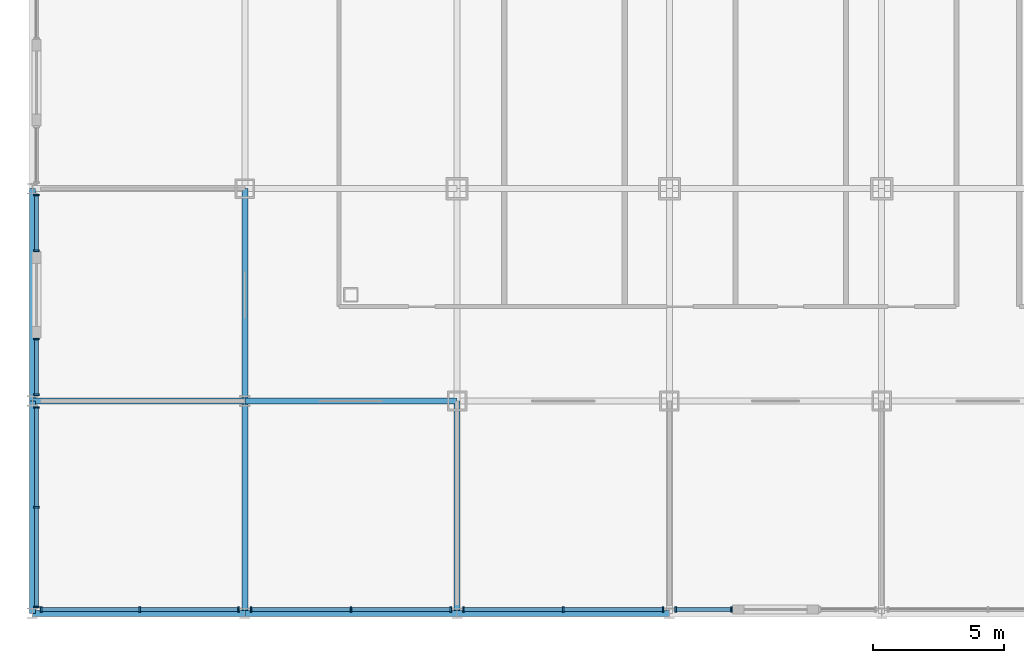
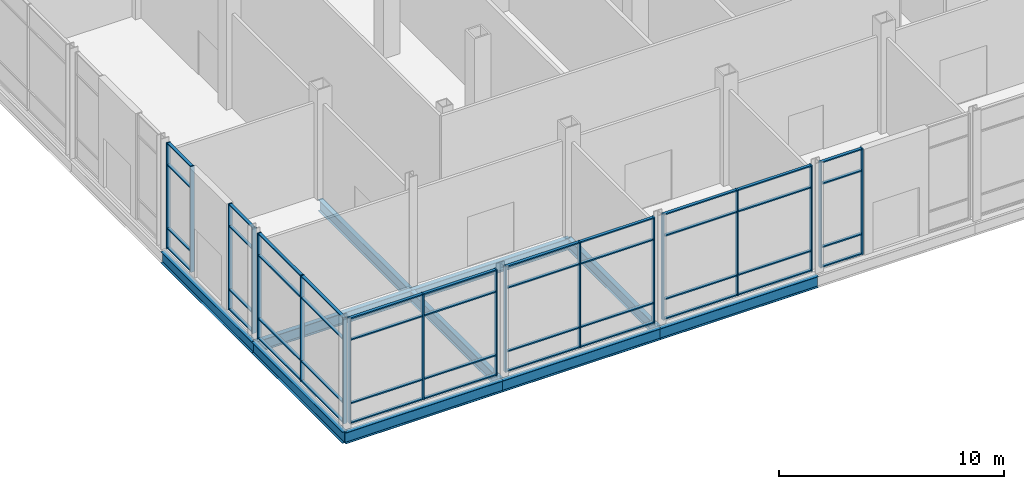
# One storey, part 9 of 35: 62 members, 10 beams, 7 elements without a shape of their own.
"""IFC4 building model written with IfcOpenShell, lengths in metres."""

import ifcopenshell
import ifcopenshell.guid

model = None  # the IFC model being written
_history = None  # IfcOwnerHistory: only IFC2X3 demands one
_inside = {}  # id of a spatial element -> (the spatial element, [elements in it])
_under = {}  # id of a project, library or spatial element -> (it, [spatial elements below it])
_declared = {}  # id of a project -> (the project, [libraries it declares])
_typed = {}  # id of a type object -> (the type object, [elements of that type])
_made_of = {}  # id of a material, layer set ... -> (it, [elements and type objects made of it])


def new_model(schema):
    """Start an empty IFC model of exactly this schema.

    Asked for "IFC4X3", IfcOpenShell would pick the latest addendum, in which some entities
    have other attributes; the version numbers below select the first issue.
    IFC2X3 requires an IfcOwnerHistory on every rooted entity: one is made here for all.
    """
    global model, _history
    if schema == "IFC4X3":
        model = ifcopenshell.file(schema_version=(4, 3, 0, 0))
    else:
        model = ifcopenshell.file(schema=schema)
    _inside.clear()
    _under.clear()
    _declared.clear()
    _typed.clear()
    _made_of.clear()
    _history = None
    if model.schema == "IFC2X3":
        org = make("IfcOrganization", Name="unknown")
        user = make(
            "IfcPersonAndOrganization",
            ThePerson=make("IfcPerson", FamilyName="unknown"),
            TheOrganization=org,
        )
        app = make(
            "IfcApplication",
            ApplicationDeveloper=org,
            Version="unknown",
            ApplicationFullName="unknown",
            ApplicationIdentifier="unknown",
        )
        _history = make(
            "IfcOwnerHistory",
            OwningUser=user,
            OwningApplication=app,
            ChangeAction="ADDED",
            CreationDate=0,
        )
    return model


def make(cls, **values):
    """One entity of the class cls with the attributes given. An attribute that is None is left unset."""
    return model.create_entity(
        cls, **{name: value for name, value in values.items() if value is not None}
    )


def rooted(cls, **values):
    """An entity with a GlobalId (a new one), such as an element, a storey or a relation."""
    return make(cls, GlobalId=ifcopenshell.guid.new(), OwnerHistory=_history, **values)


def si_unit(unit_type, name, prefix=None):
    """IfcSIUnit, for example si_unit("LENGTHUNIT", "METRE", prefix="MILLI")."""
    return make("IfcSIUnit", UnitType=unit_type, Prefix=prefix, Name=name)


def assignment(units):
    """IfcUnitAssignment: the units of a project."""
    return None if units is None else make("IfcUnitAssignment", Units=units)


def point(xyz):
    """IfcCartesianPoint."""
    return None if xyz is None else make("IfcCartesianPoint", Coordinates=xyz)


def direction(xyz):
    """IfcDirection."""
    return None if xyz is None else make("IfcDirection", DirectionRatios=xyz)


def frame(location, z_axis=None, x_axis=None):
    """IfcAxis2Placement3D, a coordinate frame: its origin and axes. An axis left out is left unset."""
    return make(
        "IfcAxis2Placement3D",
        Location=point(location),
        Axis=direction(z_axis),
        RefDirection=direction(x_axis),
    )


def frame_2d(location, x_axis=None):
    """IfcAxis2Placement2D, a coordinate frame in the plane: its origin and x axis."""
    return make(
        "IfcAxis2Placement2D", Location=point(location), RefDirection=direction(x_axis)
    )


def origin():
    """The frame at (0, 0, 0) with its axes left unset."""
    return frame((0.0, 0.0, 0.0))


def origin_2d():
    """The frame at (0, 0) in the plane with its x axis left unset."""
    return frame_2d((0.0, 0.0))


def place(relative_to, where):
    """IfcLocalPlacement: puts the frame where relative to a parent placement (None: the world)."""
    return make(
        "IfcLocalPlacement", PlacementRelTo=relative_to, RelativePlacement=where
    )


def context(
    kind, dimensions, precision=None, world=None, true_north=None, identifier=None
):
    """IfcGeometricRepresentationContext, for example the 3D "Model" context."""
    return make(
        "IfcGeometricRepresentationContext",
        ContextIdentifier=identifier,
        ContextType=kind,
        CoordinateSpaceDimension=dimensions,
        Precision=precision,
        WorldCoordinateSystem=world,
        TrueNorth=true_north,
    )


def subcontext(parent, identifier, kind, view, scale=None):
    """IfcGeometricRepresentationSubContext, for example "Body" below "Model"."""
    return make(
        "IfcGeometricRepresentationSubContext",
        ContextIdentifier=identifier,
        ContextType=kind,
        ParentContext=parent,
        TargetScale=scale,
        TargetView=view,
    )


def project(units=None, contexts=None):
    """IfcProject with its units and contexts."""
    return rooted(
        "IfcProject",
        Name="project",
        RepresentationContexts=contexts,
        UnitsInContext=assignment(units),
    )


def spatial(cls, under=None, at=None, **own):
    """A site, building, storey or space (cls), placed at a placement, below another one or the project."""
    s = rooted(cls, ObjectPlacement=at, **own)
    if under is not None:
        _under.setdefault(under.id(), (under, []))[1].append(s)
    return s


def profile(cls, at=None, kind="AREA", **sizes):
    """A parametric profile (cls). Its sizes go by their IFC names, for example OverallWidth=200.0."""
    return make(cls, ProfileType=kind, Position=at, **sizes)


def rectangle(**sizes):
    """IfcRectangleProfileDef."""
    return profile("IfcRectangleProfileDef", **sizes)


def i_section(**sizes):
    """IfcIShapeProfileDef."""
    return profile("IfcIShapeProfileDef", **sizes)


def extrude(swept, where, along, depth):
    """IfcExtrudedAreaSolid: the profile swept, set in the frame where, extruded along a direction by depth."""
    return make(
        "IfcExtrudedAreaSolid",
        SweptArea=swept,
        Position=where,
        ExtrudedDirection=direction(along),
        Depth=depth,
    )


def shape(context_of_items, identifier, shape_type, items):
    """IfcShapeRepresentation: the items that make up one representation, for example the "Body"."""
    return make(
        "IfcShapeRepresentation",
        ContextOfItems=context_of_items,
        RepresentationIdentifier=identifier,
        RepresentationType=shape_type,
        Items=items,
    )


def material(Name=None, Category=None):
    """IfcMaterial."""
    return make("IfcMaterial", Name=Name, Category=Category)


def material_profile(
    of_material, cross_section, Name=None, Category=None, Priority=None
):
    """IfcMaterialProfile: a cross section and its material."""
    return make(
        "IfcMaterialProfile",
        Name=Name,
        Material=of_material,
        Profile=cross_section,
        Priority=Priority,
        Category=Category,
    )


def profile_set(profiles, Name=None, composite=None):
    """IfcMaterialProfileSet."""
    return make(
        "IfcMaterialProfileSet",
        Name=Name,
        MaterialProfiles=profiles,
        CompositeProfile=composite,
    )


def made_of(thing, what):
    """Note that an element or type object is made of a material, layer set ...; save() writes the relation."""
    if what is not None:
        _made_of.setdefault(what.id(), (what, []))[1].append(thing)
    return thing


def type_object(cls, material=None, **own):
    """A type object (cls), such as IfcWallType, which elements share."""
    return made_of(rooted(cls, **own), material)


def element(
    cls,
    number,
    at=None,
    inside=None,
    cuts=None,
    type_object=None,
    material=None,
    context=None,
    identifier="Body",
    shape_type=None,
    held_by="IfcProductDefinitionShape",
    body=None,
    shapes=None,
    **own,
):
    """One element of the class cls, such as IfcWall. Its Tag is "e" and its number.

    at: its placement. inside: the storey or other place that contains it. cuts: it is an
    opening in that element (IfcRelVoidsElement). A single representation is given by context,
    identifier, shape_type and body (its items); several are given by shapes. held_by: the class
    of the entity that holds the representations. save() writes the other relations.
    """
    e = rooted(cls, Tag="e%d" % number, ObjectPlacement=at, **own)
    if body is not None:
        shapes = [shape(context, identifier, shape_type, body)]
    if shapes is not None:
        e.Representation = make(held_by, Representations=shapes)
    if inside is not None:
        _inside.setdefault(inside.id(), (inside, []))[1].append(e)
    if cuts is not None:
        rooted(
            "IfcRelVoidsElement", RelatingBuildingElement=cuts, RelatedOpeningElement=e
        )
    if type_object is not None:
        _typed.setdefault(type_object.id(), (type_object, []))[1].append(e)
    return made_of(e, material)


def aggregate(whole, parts):
    """IfcRelAggregates: a whole, such as a stair, and the parts it consists of."""
    return rooted("IfcRelAggregates", RelatingObject=whole, RelatedObjects=parts)


def save(model, path):
    """Write the relations noted so far, then the file.

    IfcRelAggregates (storeys below a building ...), IfcRelContainedInSpatialStructure (elements
    in a storey), IfcRelDefinesByType, IfcRelAssociatesMaterial and IfcRelDeclares: one each for
    every whole, place, type object, material and project.
    """
    for whole, parts in _under.values():
        aggregate(whole, parts)
    for where, things in _inside.values():
        rooted(
            "IfcRelContainedInSpatialStructure",
            RelatedElements=things,
            RelatingStructure=where,
        )
    for kind, things in _typed.values():
        rooted("IfcRelDefinesByType", RelatedObjects=things, RelatingType=kind)
    for what, things in _made_of.values():
        rooted("IfcRelAssociatesMaterial", RelatedObjects=things, RelatingMaterial=what)
    for by, libraries in _declared.values():
        rooted("IfcRelDeclares", RelatingContext=by, RelatedDefinitions=libraries)
    model.write(path)


model = new_model("IFC4")

# Units and contexts
model_context = context("Model", 3, precision=1e-05, world=origin(), true_north=direction((0.0, 1.0)))
body_context = subcontext(model_context, "Body", "Model", "MODEL_VIEW")
ifc_project = project(units=[si_unit("LENGTHUNIT", "METRE"), si_unit("AREAUNIT", "SQUARE_METRE"), si_unit("VOLUMEUNIT", "CUBIC_METRE"), si_unit("PLANEANGLEUNIT", "RADIAN"), si_unit("MASSUNIT", "GRAM", prefix="KILO")], contexts=[model_context])

# Site, building, storey
site_placement = place(None, origin())
site = spatial("IfcSite", under=ifc_project, at=site_placement, CompositionType="ELEMENT")
building_placement = place(site_placement, origin())
building = spatial("IfcBuilding", under=site, at=building_placement, Name="Kopane Lantern Tower", CompositionType="ELEMENT")
storey_placement = place(building_placement, origin())
storey = spatial("IfcBuildingStorey", under=building, at=storey_placement, Name="L00", CompositionType="ELEMENT", Elevation=0.0)

# Beams
ifc_material_1 = material(Name="Steel S355JR", Category="steel")
ifc_material_profile_1 = material_profile(ifc_material_1, i_section(OverallWidth=0.22900390625, OverallDepth=0.6123046875, WebThickness=0.011962890625, FlangeThickness=0.01953125, FilletRadius=0.0126953125, at=origin_2d()), Name="UB 610x229x125")
ifc_profile_set_1 = profile_set([ifc_material_profile_1], Name="Steel S355JR")
beam_type = type_object("IfcBeamType", Name="GIRDER UB 610x229x125", PredefinedType="BEAM", material=ifc_profile_set_1)
for number, where, z_axis, x_axis, name in (
    (1, (-8.10009765625, -8.10009765625, -0.55615234375), (0.0, 1.0, 0.0), (-1.0, 0.0, 0.0), "Girder L00"),
    (2, (-8.10009765625, -8.10009765625, -0.55615234375), (1.0, 0.0, 0.0), (0.0, 1.0, 0.0), "Girder L00"),
    (3, (-8.10009765625, 0.0, -0.55615234375), (0.0, 1.0, 0.0), (-1.0, 0.0, 0.0), "Girder L00"),
    (4, (-8.10009765625, 0.0, -0.55615234375), (1.0, 0.0, 0.0), (0.0, 1.0, 0.0), "Girder L00"),
    (5, (0.0, -8.10009765625, -0.55615234375), (0.0, 1.0, 0.0), (-1.0, 0.0, 0.0), "Girder L00"),
    (6, (0.0, -8.10009765625, -0.55615234375), (1.0, 0.0, 0.0), (0.0, 1.0, 0.0), "Girder L00"),
    (7, (0.0, 0.0, -0.55615234375), (0.0, 1.0, 0.0), (-1.0, 0.0, 0.0), "Girder L00"),
    (8, (0.0, 0.0, -0.55615234375), (1.0, 0.0, 0.0), (0.0, 1.0, 0.0), "Girder L00"),
    (9, (8.10009765625, -8.10009765625, -0.55615234375), (0.0, 1.0, 0.0), (-1.0, 0.0, 0.0), "Girder L00"),
):
    element("IfcBeam", number, at=place(storey_placement, frame(where, z_axis=z_axis, x_axis=x_axis)), inside=storey, type_object=beam_type, Name=name, PredefinedType="BEAM", context=body_context, shape_type="SweptSolid", body=[
        extrude(i_section(OverallWidth=0.22900390625, OverallDepth=0.6123046875, WebThickness=0.011962890625, FlangeThickness=0.01953125, FilletRadius=0.0126953125, at=origin_2d()), origin(), (0.0, 0.0, 1.0), 8.10009765625),
    ])
beam_placement = place(storey_placement, frame((8.10009765625, -8.10009765625, -0.55615234375), z_axis=(1.0, 0.0, 0.0), x_axis=(0.0, 1.0, 0.0)))
element("IfcBeam", 10, at=beam_placement, inside=storey, type_object=beam_type, Name="Girder L00", PredefinedType="BEAM", context=body_context, shape_type="SweptSolid", body=[
    extrude(i_section(OverallWidth=0.22900390625, OverallDepth=0.6123046875, WebThickness=0.011962890625, FlangeThickness=0.01953125, FilletRadius=0.0126953125, at=origin_2d()), origin(), (0.0, 0.0, 1.0), 8.099853515625),
])

# Curtain wall, members
ifc_material_2 = material(Name="Aluminium and clear glass", Category="aluminium")
curtain_wall_type = type_object("IfcCurtainWallType", Name="CURTAIN WALL CW1 PODIUM STOREFRONT", PredefinedType="USERDEFINED", material=ifc_material_2)
curtain_wall_1_placement = place(storey_placement, origin())
curtain_wall_1 = element("IfcCurtainWall", 11, at=curtain_wall_1_placement, inside=storey, type_object=curtain_wall_type, Name="Curtain wall CW1 S L00", ObjectType="CURTAIN WALL", PredefinedType="USERDEFINED")
ifc_material_3 = material(Name="Aluminium", Category="aluminium")
ifc_material_profile_2 = material_profile(ifc_material_3, rectangle(XDim=0.06494140625, YDim=0.199951171875, at=origin_2d()), Name="AL 65x200")
ifc_profile_set_2 = profile_set([ifc_material_profile_2], Name="Aluminium")
member_type_1 = type_object("IfcMemberType", Name="MULLION CW1-M 65x200", PredefinedType="MULLION", material=ifc_profile_set_2)
member_1_placement = place(storey_placement, frame((-7.767578125, -7.949951171875, 0.0), z_axis=(0.0, 0.0, 1.0), x_axis=(1.0, 0.0, 0.0)))
member_1 = element("IfcMember", 12, at=member_1_placement, type_object=member_type_1, Name="CW1 mullion 1", PredefinedType="MULLION", context=body_context, shape_type="SweptSolid", body=[
    extrude(rectangle(XDim=0.06494140625, YDim=0.199951171875, at=origin_2d()), origin(), (0.0, 0.0, 1.0), 5.75),
])
member_2_placement = place(storey_placement, frame((-4.003173828125, -7.949951171875, 0.0), z_axis=(0.0, 0.0, 1.0), x_axis=(1.0, 0.0, 0.0)))
member_2 = element("IfcMember", 13, at=member_2_placement, type_object=member_type_1, Name="CW1 mullion 2", PredefinedType="MULLION", context=body_context, shape_type="SweptSolid", body=[
    extrude(rectangle(XDim=0.06494140625, YDim=0.199951171875, at=origin_2d()), origin(), (0.0, 0.0, 1.0), 5.75),
])
member_3_placement = place(storey_placement, frame((-0.239013671875, -7.949951171875, 0.0), z_axis=(0.0, 0.0, 1.0), x_axis=(1.0, 0.0, 0.0)))
member_3 = element("IfcMember", 14, at=member_3_placement, type_object=member_type_1, Name="CW1 mullion 3", PredefinedType="MULLION", context=body_context, shape_type="SweptSolid", body=[
    extrude(rectangle(XDim=0.06494140625, YDim=0.199951171875, at=origin_2d()), origin(), (0.0, 0.0, 1.0), 5.75),
])

curtain_wall_2_placement = place(storey_placement, origin())
curtain_wall_2 = element("IfcCurtainWall", 15, at=curtain_wall_2_placement, inside=storey, type_object=curtain_wall_type, Name="Curtain wall CW1 S L00", ObjectType="CURTAIN WALL", PredefinedType="USERDEFINED")
member_4_placement = place(storey_placement, frame((0.239013671875, -7.949951171875, 0.0), z_axis=(0.0, 0.0, 1.0), x_axis=(1.0, 0.0, 0.0)))
member_4 = element("IfcMember", 16, at=member_4_placement, type_object=member_type_1, Name="CW1 mullion 1", PredefinedType="MULLION", context=body_context, shape_type="SweptSolid", body=[
    extrude(rectangle(XDim=0.06494140625, YDim=0.199951171875, at=origin_2d()), origin(), (0.0, 0.0, 1.0), 5.75),
])
member_5_placement = place(storey_placement, frame((4.050048828125, -7.949951171875, 0.0), z_axis=(0.0, 0.0, 1.0), x_axis=(1.0, 0.0, 0.0)))
member_5 = element("IfcMember", 17, at=member_5_placement, type_object=member_type_1, Name="CW1 mullion 2", PredefinedType="MULLION", context=body_context, shape_type="SweptSolid", body=[
    extrude(rectangle(XDim=0.06494140625, YDim=0.199951171875, at=origin_2d()), origin(), (0.0, 0.0, 1.0), 5.75),
])
member_6_placement = place(storey_placement, frame((7.861083984375, -7.949951171875, 0.0), z_axis=(0.0, 0.0, 1.0), x_axis=(1.0, 0.0, 0.0)))
member_6 = element("IfcMember", 18, at=member_6_placement, type_object=member_type_1, Name="CW1 mullion 3", PredefinedType="MULLION", context=body_context, shape_type="SweptSolid", body=[
    extrude(rectangle(XDim=0.06494140625, YDim=0.199951171875, at=origin_2d()), origin(), (0.0, 0.0, 1.0), 5.75),
])

curtain_wall_3_placement = place(storey_placement, origin())
curtain_wall_3 = element("IfcCurtainWall", 19, at=curtain_wall_3_placement, inside=storey, type_object=curtain_wall_type, Name="Curtain wall CW1 S L00", ObjectType="CURTAIN WALL", PredefinedType="USERDEFINED")
member_7_placement = place(storey_placement, frame((8.339111328125, -7.949951171875, 0.0), z_axis=(0.0, 0.0, 1.0), x_axis=(1.0, 0.0, 0.0)))
member_7 = element("IfcMember", 20, at=member_7_placement, type_object=member_type_1, Name="CW1 mullion 1", PredefinedType="MULLION", context=body_context, shape_type="SweptSolid", body=[
    extrude(rectangle(XDim=0.06494140625, YDim=0.199951171875, at=origin_2d()), origin(), (0.0, 0.0, 1.0), 5.75),
])
member_8_placement = place(storey_placement, frame((12.14990234375, -7.949951171875, 0.0), z_axis=(0.0, 0.0, 1.0), x_axis=(1.0, 0.0, 0.0)))
member_8 = element("IfcMember", 21, at=member_8_placement, type_object=member_type_1, Name="CW1 mullion 2", PredefinedType="MULLION", context=body_context, shape_type="SweptSolid", body=[
    extrude(rectangle(XDim=0.06494140625, YDim=0.199951171875, at=origin_2d()), origin(), (0.0, 0.0, 1.0), 5.75),
])
member_9_placement = place(storey_placement, frame((15.9609375, -7.949951171875, 0.0), z_axis=(0.0, 0.0, 1.0), x_axis=(1.0, 0.0, 0.0)))
member_9 = element("IfcMember", 22, at=member_9_placement, type_object=member_type_1, Name="CW1 mullion 3", PredefinedType="MULLION", context=body_context, shape_type="SweptSolid", body=[
    extrude(rectangle(XDim=0.06494140625, YDim=0.199951171875, at=origin_2d()), origin(), (0.0, 0.0, 1.0), 5.75),
])

curtain_wall_4_placement = place(storey_placement, origin())
curtain_wall_4 = element("IfcCurtainWall", 23, at=curtain_wall_4_placement, inside=storey, type_object=curtain_wall_type, Name="Curtain wall CW1 S L00", ObjectType="CURTAIN WALL", PredefinedType="USERDEFINED")
member_10_placement = place(storey_placement, frame((16.43896484375, -7.949951171875, 0.0), z_axis=(0.0, 0.0, 1.0), x_axis=(1.0, 0.0, 0.0)))
member_10 = element("IfcMember", 24, at=member_10_placement, type_object=member_type_1, Name="CW1 mullion 1", PredefinedType="MULLION", context=body_context, shape_type="SweptSolid", body=[
    extrude(rectangle(XDim=0.06494140625, YDim=0.199951171875, at=origin_2d()), origin(), (0.0, 0.0, 1.0), 5.75),
])
member_11_placement = place(storey_placement, frame((18.5673828125, -7.949951171875, 0.0), z_axis=(0.0, 0.0, 1.0), x_axis=(1.0, 0.0, 0.0)))
member_11 = element("IfcMember", 25, at=member_11_placement, type_object=member_type_1, Name="CW1 mullion 2", PredefinedType="MULLION", context=body_context, shape_type="SweptSolid", body=[
    extrude(rectangle(XDim=0.06494140625, YDim=0.199951171875, at=origin_2d()), origin(), (0.0, 0.0, 1.0), 5.75),
])

curtain_wall_5_placement = place(storey_placement, origin())
curtain_wall_5 = element("IfcCurtainWall", 26, at=curtain_wall_5_placement, inside=storey, type_object=curtain_wall_type, Name="Curtain wall CW1 W L00", ObjectType="CURTAIN WALL", PredefinedType="USERDEFINED")
member_12_placement = place(storey_placement, frame((-7.949951171875, 7.859375, 0.0), z_axis=(0.0, 0.0, 1.0), x_axis=(0.0, -1.0, 0.0)))
member_12 = element("IfcMember", 27, at=member_12_placement, type_object=member_type_1, Name="CW1 mullion 1", PredefinedType="MULLION", context=body_context, shape_type="SweptSolid", body=[
    extrude(rectangle(XDim=0.06494140625, YDim=0.199951171875, at=origin_2d()), origin(), (0.0, 0.0, 1.0), 5.75),
])
member_13_placement = place(storey_placement, frame((-7.949951171875, 5.732421875, 0.0), z_axis=(0.0, 0.0, 1.0), x_axis=(0.0, -1.0, 0.0)))
member_13 = element("IfcMember", 28, at=member_13_placement, type_object=member_type_1, Name="CW1 mullion 2", PredefinedType="MULLION", context=body_context, shape_type="SweptSolid", body=[
    extrude(rectangle(XDim=0.06494140625, YDim=0.199951171875, at=origin_2d()), origin(), (0.0, 0.0, 1.0), 5.75),
])

curtain_wall_6_placement = place(storey_placement, origin())
curtain_wall_6 = element("IfcCurtainWall", 29, at=curtain_wall_6_placement, inside=storey, type_object=curtain_wall_type, Name="Curtain wall CW1 W L00", ObjectType="CURTAIN WALL", PredefinedType="USERDEFINED")
member_14_placement = place(storey_placement, frame((-7.949951171875, 2.367431640625, 0.0), z_axis=(0.0, 0.0, 1.0), x_axis=(0.0, -1.0, 0.0)))
member_14 = element("IfcMember", 30, at=member_14_placement, type_object=member_type_1, Name="CW1 mullion 1", PredefinedType="MULLION", context=body_context, shape_type="SweptSolid", body=[
    extrude(rectangle(XDim=0.06494140625, YDim=0.199951171875, at=origin_2d()), origin(), (0.0, 0.0, 1.0), 5.75),
])
member_15_placement = place(storey_placement, frame((-7.949951171875, 0.24072265625, 0.0), z_axis=(0.0, 0.0, 1.0), x_axis=(0.0, -1.0, 0.0)))
member_15 = element("IfcMember", 31, at=member_15_placement, type_object=member_type_1, Name="CW1 mullion 2", PredefinedType="MULLION", context=body_context, shape_type="SweptSolid", body=[
    extrude(rectangle(XDim=0.06494140625, YDim=0.199951171875, at=origin_2d()), origin(), (0.0, 0.0, 1.0), 5.75),
])

curtain_wall_7_placement = place(storey_placement, origin())
curtain_wall_7 = element("IfcCurtainWall", 32, at=curtain_wall_7_placement, inside=storey, type_object=curtain_wall_type, Name="Curtain wall CW1 W L00", ObjectType="CURTAIN WALL", PredefinedType="USERDEFINED")
member_16_placement = place(storey_placement, frame((-7.949951171875, -0.24072265625, 0.0), z_axis=(0.0, 0.0, 1.0), x_axis=(0.0, -1.0, 0.0)))
member_16 = element("IfcMember", 33, at=member_16_placement, type_object=member_type_1, Name="CW1 mullion 1", PredefinedType="MULLION", context=body_context, shape_type="SweptSolid", body=[
    extrude(rectangle(XDim=0.06494140625, YDim=0.199951171875, at=origin_2d()), origin(), (0.0, 0.0, 1.0), 5.75),
])
member_17_placement = place(storey_placement, frame((-7.949951171875, -4.050048828125, 0.0), z_axis=(0.0, 0.0, 1.0), x_axis=(0.0, -1.0, 0.0)))
member_17 = element("IfcMember", 34, at=member_17_placement, type_object=member_type_1, Name="CW1 mullion 2", PredefinedType="MULLION", context=body_context, shape_type="SweptSolid", body=[
    extrude(rectangle(XDim=0.06494140625, YDim=0.199951171875, at=origin_2d()), origin(), (0.0, 0.0, 1.0), 5.75),
])
member_18_placement = place(storey_placement, frame((-7.949951171875, -7.859375, 0.0), z_axis=(0.0, 0.0, 1.0), x_axis=(0.0, -1.0, 0.0)))
member_18 = element("IfcMember", 35, at=member_18_placement, type_object=member_type_1, Name="CW1 mullion 3", PredefinedType="MULLION", context=body_context, shape_type="SweptSolid", body=[
    extrude(rectangle(XDim=0.06494140625, YDim=0.199951171875, at=origin_2d()), origin(), (0.0, 0.0, 1.0), 5.75),
])

# Member
ifc_material_4 = material(Name="Aluminium", Category="aluminium")
ifc_material_profile_3 = material_profile(ifc_material_4, rectangle(XDim=0.14990234375, YDim=0.06494140625, at=origin_2d()), Name="AL 150x65")
ifc_profile_set_3 = profile_set([ifc_material_profile_3], Name="Aluminium")
member_type_2 = type_object("IfcMemberType", Name="TRANSOM CW1-T 65x150", PredefinedType="USERDEFINED", material=ifc_profile_set_3)
member_19_placement = place(storey_placement, frame((-7.735107421875, -7.949951171875, 0.032470703125), z_axis=(1.0, 0.0, 0.0), x_axis=(0.0, 1.0, 0.0)))
member_19 = element("IfcMember", 36, at=member_19_placement, type_object=member_type_2, Name="CW1 transom 1.1", ObjectType="TRANSOM", PredefinedType="USERDEFINED", context=body_context, shape_type="SweptSolid", body=[
    extrude(rectangle(XDim=0.14990234375, YDim=0.06494140625, at=origin_2d()), origin(), (0.0, 0.0, 1.0), 3.699462890625),
])

member_20_placement = place(storey_placement, frame((-7.735107421875, -7.949951171875, 1.10009765625), z_axis=(1.0, 0.0, 0.0), x_axis=(0.0, 1.0, 0.0)))
member_20 = element("IfcMember", 37, at=member_20_placement, type_object=member_type_2, Name="CW1 transom 1.2", ObjectType="TRANSOM", PredefinedType="USERDEFINED", context=body_context, shape_type="SweptSolid", body=[
    extrude(rectangle(XDim=0.14990234375, YDim=0.06494140625, at=origin_2d()), origin(), (0.0, 0.0, 1.0), 3.699462890625),
])

member_21_placement = place(storey_placement, frame((-7.735107421875, -7.949951171875, 4.550048828125), z_axis=(1.0, 0.0, 0.0), x_axis=(0.0, 1.0, 0.0)))
member_21 = element("IfcMember", 38, at=member_21_placement, type_object=member_type_2, Name="CW1 transom 1.3", ObjectType="TRANSOM", PredefinedType="USERDEFINED", context=body_context, shape_type="SweptSolid", body=[
    extrude(rectangle(XDim=0.14990234375, YDim=0.06494140625, at=origin_2d()), origin(), (0.0, 0.0, 1.0), 3.699462890625),
])

member_22_placement = place(storey_placement, frame((-7.735107421875, -7.949951171875, 5.717529296875), z_axis=(1.0, 0.0, 0.0), x_axis=(0.0, 1.0, 0.0)))
member_22 = element("IfcMember", 39, at=member_22_placement, type_object=member_type_2, Name="CW1 transom 1.4", ObjectType="TRANSOM", PredefinedType="USERDEFINED", context=body_context, shape_type="SweptSolid", body=[
    extrude(rectangle(XDim=0.14990234375, YDim=0.06494140625, at=origin_2d()), origin(), (0.0, 0.0, 1.0), 3.699462890625),
])

member_23_placement = place(storey_placement, frame((-3.970703125, -7.949951171875, 0.032470703125), z_axis=(1.0, 0.0, 0.0), x_axis=(0.0, 1.0, 0.0)))
member_23 = element("IfcMember", 40, at=member_23_placement, type_object=member_type_2, Name="CW1 transom 2.1", ObjectType="TRANSOM", PredefinedType="USERDEFINED", context=body_context, shape_type="SweptSolid", body=[
    extrude(rectangle(XDim=0.14990234375, YDim=0.06494140625, at=origin_2d()), origin(), (0.0, 0.0, 1.0), 3.69921875),
])

member_24_placement = place(storey_placement, frame((-3.970703125, -7.949951171875, 1.10009765625), z_axis=(1.0, 0.0, 0.0), x_axis=(0.0, 1.0, 0.0)))
member_24 = element("IfcMember", 41, at=member_24_placement, type_object=member_type_2, Name="CW1 transom 2.2", ObjectType="TRANSOM", PredefinedType="USERDEFINED", context=body_context, shape_type="SweptSolid", body=[
    extrude(rectangle(XDim=0.14990234375, YDim=0.06494140625, at=origin_2d()), origin(), (0.0, 0.0, 1.0), 3.69921875),
])

member_25_placement = place(storey_placement, frame((-3.970703125, -7.949951171875, 4.550048828125), z_axis=(1.0, 0.0, 0.0), x_axis=(0.0, 1.0, 0.0)))
member_25 = element("IfcMember", 42, at=member_25_placement, type_object=member_type_2, Name="CW1 transom 2.3", ObjectType="TRANSOM", PredefinedType="USERDEFINED", context=body_context, shape_type="SweptSolid", body=[
    extrude(rectangle(XDim=0.14990234375, YDim=0.06494140625, at=origin_2d()), origin(), (0.0, 0.0, 1.0), 3.69921875),
])

member_26_placement = place(storey_placement, frame((-3.970703125, -7.949951171875, 5.717529296875), z_axis=(1.0, 0.0, 0.0), x_axis=(0.0, 1.0, 0.0)))
member_26 = element("IfcMember", 43, at=member_26_placement, type_object=member_type_2, Name="CW1 transom 2.4", ObjectType="TRANSOM", PredefinedType="USERDEFINED", context=body_context, shape_type="SweptSolid", body=[
    extrude(rectangle(XDim=0.14990234375, YDim=0.06494140625, at=origin_2d()), origin(), (0.0, 0.0, 1.0), 3.69921875),
])

aggregate(curtain_wall_1, [member_1, member_2, member_3, member_19, member_20, member_21, member_22, member_23, member_24, member_25, member_26])

member_27_placement = place(storey_placement, frame((0.271484375, -7.949951171875, 0.032470703125), z_axis=(1.0, 0.0, 0.0), x_axis=(0.0, 1.0, 0.0)))
member_27 = element("IfcMember", 44, at=member_27_placement, type_object=member_type_2, Name="CW1 transom 1.1", ObjectType="TRANSOM", PredefinedType="USERDEFINED", context=body_context, shape_type="SweptSolid", body=[
    extrude(rectangle(XDim=0.14990234375, YDim=0.06494140625, at=origin_2d()), origin(), (0.0, 0.0, 1.0), 3.74609375),
])

member_28_placement = place(storey_placement, frame((0.271484375, -7.949951171875, 1.10009765625), z_axis=(1.0, 0.0, 0.0), x_axis=(0.0, 1.0, 0.0)))
member_28 = element("IfcMember", 45, at=member_28_placement, type_object=member_type_2, Name="CW1 transom 1.2", ObjectType="TRANSOM", PredefinedType="USERDEFINED", context=body_context, shape_type="SweptSolid", body=[
    extrude(rectangle(XDim=0.14990234375, YDim=0.06494140625, at=origin_2d()), origin(), (0.0, 0.0, 1.0), 3.74609375),
])

member_29_placement = place(storey_placement, frame((0.271484375, -7.949951171875, 4.550048828125), z_axis=(1.0, 0.0, 0.0), x_axis=(0.0, 1.0, 0.0)))
member_29 = element("IfcMember", 46, at=member_29_placement, type_object=member_type_2, Name="CW1 transom 1.3", ObjectType="TRANSOM", PredefinedType="USERDEFINED", context=body_context, shape_type="SweptSolid", body=[
    extrude(rectangle(XDim=0.14990234375, YDim=0.06494140625, at=origin_2d()), origin(), (0.0, 0.0, 1.0), 3.74609375),
])

member_30_placement = place(storey_placement, frame((0.271484375, -7.949951171875, 5.717529296875), z_axis=(1.0, 0.0, 0.0), x_axis=(0.0, 1.0, 0.0)))
member_30 = element("IfcMember", 47, at=member_30_placement, type_object=member_type_2, Name="CW1 transom 1.4", ObjectType="TRANSOM", PredefinedType="USERDEFINED", context=body_context, shape_type="SweptSolid", body=[
    extrude(rectangle(XDim=0.14990234375, YDim=0.06494140625, at=origin_2d()), origin(), (0.0, 0.0, 1.0), 3.74609375),
])

member_31_placement = place(storey_placement, frame((4.08251953125, -7.949951171875, 0.032470703125), z_axis=(1.0, 0.0, 0.0), x_axis=(0.0, 1.0, 0.0)))
member_31 = element("IfcMember", 48, at=member_31_placement, type_object=member_type_2, Name="CW1 transom 2.1", ObjectType="TRANSOM", PredefinedType="USERDEFINED", context=body_context, shape_type="SweptSolid", body=[
    extrude(rectangle(XDim=0.14990234375, YDim=0.06494140625, at=origin_2d()), origin(), (0.0, 0.0, 1.0), 3.74609375),
])

member_32_placement = place(storey_placement, frame((4.08251953125, -7.949951171875, 1.10009765625), z_axis=(1.0, 0.0, 0.0), x_axis=(0.0, 1.0, 0.0)))
member_32 = element("IfcMember", 49, at=member_32_placement, type_object=member_type_2, Name="CW1 transom 2.2", ObjectType="TRANSOM", PredefinedType="USERDEFINED", context=body_context, shape_type="SweptSolid", body=[
    extrude(rectangle(XDim=0.14990234375, YDim=0.06494140625, at=origin_2d()), origin(), (0.0, 0.0, 1.0), 3.74609375),
])

member_33_placement = place(storey_placement, frame((4.08251953125, -7.949951171875, 4.550048828125), z_axis=(1.0, 0.0, 0.0), x_axis=(0.0, 1.0, 0.0)))
member_33 = element("IfcMember", 50, at=member_33_placement, type_object=member_type_2, Name="CW1 transom 2.3", ObjectType="TRANSOM", PredefinedType="USERDEFINED", context=body_context, shape_type="SweptSolid", body=[
    extrude(rectangle(XDim=0.14990234375, YDim=0.06494140625, at=origin_2d()), origin(), (0.0, 0.0, 1.0), 3.74609375),
])

member_34_placement = place(storey_placement, frame((4.08251953125, -7.949951171875, 5.717529296875), z_axis=(1.0, 0.0, 0.0), x_axis=(0.0, 1.0, 0.0)))
member_34 = element("IfcMember", 51, at=member_34_placement, type_object=member_type_2, Name="CW1 transom 2.4", ObjectType="TRANSOM", PredefinedType="USERDEFINED", context=body_context, shape_type="SweptSolid", body=[
    extrude(rectangle(XDim=0.14990234375, YDim=0.06494140625, at=origin_2d()), origin(), (0.0, 0.0, 1.0), 3.74609375),
])

aggregate(curtain_wall_2, [member_4, member_5, member_6, member_27, member_28, member_29, member_30, member_31, member_32, member_33, member_34])

member_35_placement = place(storey_placement, frame((8.37158203125, -7.949951171875, 0.032470703125), z_axis=(1.0, 0.0, 0.0), x_axis=(0.0, 1.0, 0.0)))
member_35 = element("IfcMember", 52, at=member_35_placement, type_object=member_type_2, Name="CW1 transom 1.1", ObjectType="TRANSOM", PredefinedType="USERDEFINED", context=body_context, shape_type="SweptSolid", body=[
    extrude(rectangle(XDim=0.14990234375, YDim=0.06494140625, at=origin_2d()), origin(), (0.0, 0.0, 1.0), 3.745849609375),
])

member_36_placement = place(storey_placement, frame((8.37158203125, -7.949951171875, 1.10009765625), z_axis=(1.0, 0.0, 0.0), x_axis=(0.0, 1.0, 0.0)))
member_36 = element("IfcMember", 53, at=member_36_placement, type_object=member_type_2, Name="CW1 transom 1.2", ObjectType="TRANSOM", PredefinedType="USERDEFINED", context=body_context, shape_type="SweptSolid", body=[
    extrude(rectangle(XDim=0.14990234375, YDim=0.06494140625, at=origin_2d()), origin(), (0.0, 0.0, 1.0), 3.745849609375),
])

member_37_placement = place(storey_placement, frame((8.37158203125, -7.949951171875, 4.550048828125), z_axis=(1.0, 0.0, 0.0), x_axis=(0.0, 1.0, 0.0)))
member_37 = element("IfcMember", 54, at=member_37_placement, type_object=member_type_2, Name="CW1 transom 1.3", ObjectType="TRANSOM", PredefinedType="USERDEFINED", context=body_context, shape_type="SweptSolid", body=[
    extrude(rectangle(XDim=0.14990234375, YDim=0.06494140625, at=origin_2d()), origin(), (0.0, 0.0, 1.0), 3.745849609375),
])

member_38_placement = place(storey_placement, frame((8.37158203125, -7.949951171875, 5.717529296875), z_axis=(1.0, 0.0, 0.0), x_axis=(0.0, 1.0, 0.0)))
member_38 = element("IfcMember", 55, at=member_38_placement, type_object=member_type_2, Name="CW1 transom 1.4", ObjectType="TRANSOM", PredefinedType="USERDEFINED", context=body_context, shape_type="SweptSolid", body=[
    extrude(rectangle(XDim=0.14990234375, YDim=0.06494140625, at=origin_2d()), origin(), (0.0, 0.0, 1.0), 3.745849609375),
])

member_39_placement = place(storey_placement, frame((12.1826171875, -7.949951171875, 0.032470703125), z_axis=(1.0, 0.0, 0.0), x_axis=(0.0, 1.0, 0.0)))
member_39 = element("IfcMember", 56, at=member_39_placement, type_object=member_type_2, Name="CW1 transom 2.1", ObjectType="TRANSOM", PredefinedType="USERDEFINED", context=body_context, shape_type="SweptSolid", body=[
    extrude(rectangle(XDim=0.14990234375, YDim=0.06494140625, at=origin_2d()), origin(), (0.0, 0.0, 1.0), 3.745849609375),
])

member_40_placement = place(storey_placement, frame((12.1826171875, -7.949951171875, 1.10009765625), z_axis=(1.0, 0.0, 0.0), x_axis=(0.0, 1.0, 0.0)))
member_40 = element("IfcMember", 57, at=member_40_placement, type_object=member_type_2, Name="CW1 transom 2.2", ObjectType="TRANSOM", PredefinedType="USERDEFINED", context=body_context, shape_type="SweptSolid", body=[
    extrude(rectangle(XDim=0.14990234375, YDim=0.06494140625, at=origin_2d()), origin(), (0.0, 0.0, 1.0), 3.745849609375),
])

member_41_placement = place(storey_placement, frame((12.1826171875, -7.949951171875, 4.550048828125), z_axis=(1.0, 0.0, 0.0), x_axis=(0.0, 1.0, 0.0)))
member_41 = element("IfcMember", 58, at=member_41_placement, type_object=member_type_2, Name="CW1 transom 2.3", ObjectType="TRANSOM", PredefinedType="USERDEFINED", context=body_context, shape_type="SweptSolid", body=[
    extrude(rectangle(XDim=0.14990234375, YDim=0.06494140625, at=origin_2d()), origin(), (0.0, 0.0, 1.0), 3.745849609375),
])

member_42_placement = place(storey_placement, frame((12.1826171875, -7.949951171875, 5.717529296875), z_axis=(1.0, 0.0, 0.0), x_axis=(0.0, 1.0, 0.0)))
member_42 = element("IfcMember", 59, at=member_42_placement, type_object=member_type_2, Name="CW1 transom 2.4", ObjectType="TRANSOM", PredefinedType="USERDEFINED", context=body_context, shape_type="SweptSolid", body=[
    extrude(rectangle(XDim=0.14990234375, YDim=0.06494140625, at=origin_2d()), origin(), (0.0, 0.0, 1.0), 3.745849609375),
])

aggregate(curtain_wall_3, [member_7, member_8, member_9, member_35, member_36, member_37, member_38, member_39, member_40, member_41, member_42])

member_43_placement = place(storey_placement, frame((16.471435546875, -7.949951171875, 0.032470703125), z_axis=(1.0, 0.0, 0.0), x_axis=(0.0, 1.0, 0.0)))
member_43 = element("IfcMember", 60, at=member_43_placement, type_object=member_type_2, Name="CW1 transom 1.1", ObjectType="TRANSOM", PredefinedType="USERDEFINED", context=body_context, shape_type="SweptSolid", body=[
    extrude(rectangle(XDim=0.14990234375, YDim=0.06494140625, at=origin_2d()), origin(), (0.0, 0.0, 1.0), 2.0634765625),
])

member_44_placement = place(storey_placement, frame((16.471435546875, -7.949951171875, 1.10009765625), z_axis=(1.0, 0.0, 0.0), x_axis=(0.0, 1.0, 0.0)))
member_44 = element("IfcMember", 61, at=member_44_placement, type_object=member_type_2, Name="CW1 transom 1.2", ObjectType="TRANSOM", PredefinedType="USERDEFINED", context=body_context, shape_type="SweptSolid", body=[
    extrude(rectangle(XDim=0.14990234375, YDim=0.06494140625, at=origin_2d()), origin(), (0.0, 0.0, 1.0), 2.0634765625),
])

member_45_placement = place(storey_placement, frame((16.471435546875, -7.949951171875, 4.550048828125), z_axis=(1.0, 0.0, 0.0), x_axis=(0.0, 1.0, 0.0)))
member_45 = element("IfcMember", 62, at=member_45_placement, type_object=member_type_2, Name="CW1 transom 1.3", ObjectType="TRANSOM", PredefinedType="USERDEFINED", context=body_context, shape_type="SweptSolid", body=[
    extrude(rectangle(XDim=0.14990234375, YDim=0.06494140625, at=origin_2d()), origin(), (0.0, 0.0, 1.0), 2.0634765625),
])

member_46_placement = place(storey_placement, frame((16.471435546875, -7.949951171875, 5.717529296875), z_axis=(1.0, 0.0, 0.0), x_axis=(0.0, 1.0, 0.0)))
member_46 = element("IfcMember", 63, at=member_46_placement, type_object=member_type_2, Name="CW1 transom 1.4", ObjectType="TRANSOM", PredefinedType="USERDEFINED", context=body_context, shape_type="SweptSolid", body=[
    extrude(rectangle(XDim=0.14990234375, YDim=0.06494140625, at=origin_2d()), origin(), (0.0, 0.0, 1.0), 2.0634765625),
])

aggregate(curtain_wall_4, [member_10, member_11, member_43, member_44, member_45, member_46])

member_47_placement = place(storey_placement, frame((-7.949951171875, 7.826904296875, 0.032470703125), z_axis=(0.0, -1.0, 0.0), x_axis=(1.0, 0.0, 0.0)))
member_47 = element("IfcMember", 64, at=member_47_placement, type_object=member_type_2, Name="CW1 transom 1.1", ObjectType="TRANSOM", PredefinedType="USERDEFINED", context=body_context, shape_type="SweptSolid", body=[
    extrude(rectangle(XDim=0.14990234375, YDim=0.06494140625, at=origin_2d()), origin(), (0.0, 0.0, 1.0), 2.06201171875),
])

member_48_placement = place(storey_placement, frame((-7.949951171875, 7.826904296875, 1.10009765625), z_axis=(0.0, -1.0, 0.0), x_axis=(1.0, 0.0, 0.0)))
member_48 = element("IfcMember", 65, at=member_48_placement, type_object=member_type_2, Name="CW1 transom 1.2", ObjectType="TRANSOM", PredefinedType="USERDEFINED", context=body_context, shape_type="SweptSolid", body=[
    extrude(rectangle(XDim=0.14990234375, YDim=0.06494140625, at=origin_2d()), origin(), (0.0, 0.0, 1.0), 2.06201171875),
])

member_49_placement = place(storey_placement, frame((-7.949951171875, 7.826904296875, 4.550048828125), z_axis=(0.0, -1.0, 0.0), x_axis=(1.0, 0.0, 0.0)))
member_49 = element("IfcMember", 66, at=member_49_placement, type_object=member_type_2, Name="CW1 transom 1.3", ObjectType="TRANSOM", PredefinedType="USERDEFINED", context=body_context, shape_type="SweptSolid", body=[
    extrude(rectangle(XDim=0.14990234375, YDim=0.06494140625, at=origin_2d()), origin(), (0.0, 0.0, 1.0), 2.06201171875),
])

member_50_placement = place(storey_placement, frame((-7.949951171875, 7.826904296875, 5.717529296875), z_axis=(0.0, -1.0, 0.0), x_axis=(1.0, 0.0, 0.0)))
member_50 = element("IfcMember", 67, at=member_50_placement, type_object=member_type_2, Name="CW1 transom 1.4", ObjectType="TRANSOM", PredefinedType="USERDEFINED", context=body_context, shape_type="SweptSolid", body=[
    extrude(rectangle(XDim=0.14990234375, YDim=0.06494140625, at=origin_2d()), origin(), (0.0, 0.0, 1.0), 2.06201171875),
])

aggregate(curtain_wall_5, [member_12, member_13, member_47, member_48, member_49, member_50])

member_51_placement = place(storey_placement, frame((-7.949951171875, 2.3349609375, 0.032470703125), z_axis=(0.0, -1.0, 0.0), x_axis=(1.0, 0.0, 0.0)))
member_51 = element("IfcMember", 68, at=member_51_placement, type_object=member_type_2, Name="CW1 transom 1.1", ObjectType="TRANSOM", PredefinedType="USERDEFINED", context=body_context, shape_type="SweptSolid", body=[
    extrude(rectangle(XDim=0.14990234375, YDim=0.06494140625, at=origin_2d()), origin(), (0.0, 0.0, 1.0), 2.061767578125),
])

member_52_placement = place(storey_placement, frame((-7.949951171875, 2.3349609375, 1.10009765625), z_axis=(0.0, -1.0, 0.0), x_axis=(1.0, 0.0, 0.0)))
member_52 = element("IfcMember", 69, at=member_52_placement, type_object=member_type_2, Name="CW1 transom 1.2", ObjectType="TRANSOM", PredefinedType="USERDEFINED", context=body_context, shape_type="SweptSolid", body=[
    extrude(rectangle(XDim=0.14990234375, YDim=0.06494140625, at=origin_2d()), origin(), (0.0, 0.0, 1.0), 2.061767578125),
])

member_53_placement = place(storey_placement, frame((-7.949951171875, 2.3349609375, 4.550048828125), z_axis=(0.0, -1.0, 0.0), x_axis=(1.0, 0.0, 0.0)))
member_53 = element("IfcMember", 70, at=member_53_placement, type_object=member_type_2, Name="CW1 transom 1.3", ObjectType="TRANSOM", PredefinedType="USERDEFINED", context=body_context, shape_type="SweptSolid", body=[
    extrude(rectangle(XDim=0.14990234375, YDim=0.06494140625, at=origin_2d()), origin(), (0.0, 0.0, 1.0), 2.061767578125),
])

member_54_placement = place(storey_placement, frame((-7.949951171875, 2.3349609375, 5.717529296875), z_axis=(0.0, -1.0, 0.0), x_axis=(1.0, 0.0, 0.0)))
member_54 = element("IfcMember", 71, at=member_54_placement, type_object=member_type_2, Name="CW1 transom 1.4", ObjectType="TRANSOM", PredefinedType="USERDEFINED", context=body_context, shape_type="SweptSolid", body=[
    extrude(rectangle(XDim=0.14990234375, YDim=0.06494140625, at=origin_2d()), origin(), (0.0, 0.0, 1.0), 2.061767578125),
])

aggregate(curtain_wall_6, [member_14, member_15, member_51, member_52, member_53, member_54])

member_55_placement = place(storey_placement, frame((-7.949951171875, -0.273193359375, 0.032470703125), z_axis=(0.0, -1.0, 0.0), x_axis=(1.0, 0.0, 0.0)))
member_55 = element("IfcMember", 72, at=member_55_placement, type_object=member_type_2, Name="CW1 transom 1.1", ObjectType="TRANSOM", PredefinedType="USERDEFINED", context=body_context, shape_type="SweptSolid", body=[
    extrude(rectangle(XDim=0.14990234375, YDim=0.06494140625, at=origin_2d()), origin(), (0.0, 0.0, 1.0), 3.744384765625),
])

member_56_placement = place(storey_placement, frame((-7.949951171875, -0.273193359375, 1.10009765625), z_axis=(0.0, -1.0, 0.0), x_axis=(1.0, 0.0, 0.0)))
member_56 = element("IfcMember", 73, at=member_56_placement, type_object=member_type_2, Name="CW1 transom 1.2", ObjectType="TRANSOM", PredefinedType="USERDEFINED", context=body_context, shape_type="SweptSolid", body=[
    extrude(rectangle(XDim=0.14990234375, YDim=0.06494140625, at=origin_2d()), origin(), (0.0, 0.0, 1.0), 3.744384765625),
])

member_57_placement = place(storey_placement, frame((-7.949951171875, -0.273193359375, 4.550048828125), z_axis=(0.0, -1.0, 0.0), x_axis=(1.0, 0.0, 0.0)))
member_57 = element("IfcMember", 74, at=member_57_placement, type_object=member_type_2, Name="CW1 transom 1.3", ObjectType="TRANSOM", PredefinedType="USERDEFINED", context=body_context, shape_type="SweptSolid", body=[
    extrude(rectangle(XDim=0.14990234375, YDim=0.06494140625, at=origin_2d()), origin(), (0.0, 0.0, 1.0), 3.744384765625),
])

member_58_placement = place(storey_placement, frame((-7.949951171875, -0.273193359375, 5.717529296875), z_axis=(0.0, -1.0, 0.0), x_axis=(1.0, 0.0, 0.0)))
member_58 = element("IfcMember", 75, at=member_58_placement, type_object=member_type_2, Name="CW1 transom 1.4", ObjectType="TRANSOM", PredefinedType="USERDEFINED", context=body_context, shape_type="SweptSolid", body=[
    extrude(rectangle(XDim=0.14990234375, YDim=0.06494140625, at=origin_2d()), origin(), (0.0, 0.0, 1.0), 3.744384765625),
])

member_59_placement = place(storey_placement, frame((-7.949951171875, -4.08251953125, 0.032470703125), z_axis=(0.0, -1.0, 0.0), x_axis=(1.0, 0.0, 0.0)))
member_59 = element("IfcMember", 76, at=member_59_placement, type_object=member_type_2, Name="CW1 transom 2.1", ObjectType="TRANSOM", PredefinedType="USERDEFINED", context=body_context, shape_type="SweptSolid", body=[
    extrude(rectangle(XDim=0.14990234375, YDim=0.06494140625, at=origin_2d()), origin(), (0.0, 0.0, 1.0), 3.744384765625),
])

member_60_placement = place(storey_placement, frame((-7.949951171875, -4.08251953125, 1.10009765625), z_axis=(0.0, -1.0, 0.0), x_axis=(1.0, 0.0, 0.0)))
member_60 = element("IfcMember", 77, at=member_60_placement, type_object=member_type_2, Name="CW1 transom 2.2", ObjectType="TRANSOM", PredefinedType="USERDEFINED", context=body_context, shape_type="SweptSolid", body=[
    extrude(rectangle(XDim=0.14990234375, YDim=0.06494140625, at=origin_2d()), origin(), (0.0, 0.0, 1.0), 3.744384765625),
])

member_61_placement = place(storey_placement, frame((-7.949951171875, -4.08251953125, 4.550048828125), z_axis=(0.0, -1.0, 0.0), x_axis=(1.0, 0.0, 0.0)))
member_61 = element("IfcMember", 78, at=member_61_placement, type_object=member_type_2, Name="CW1 transom 2.3", ObjectType="TRANSOM", PredefinedType="USERDEFINED", context=body_context, shape_type="SweptSolid", body=[
    extrude(rectangle(XDim=0.14990234375, YDim=0.06494140625, at=origin_2d()), origin(), (0.0, 0.0, 1.0), 3.744384765625),
])

member_62_placement = place(storey_placement, frame((-7.949951171875, -4.08251953125, 5.717529296875), z_axis=(0.0, -1.0, 0.0), x_axis=(1.0, 0.0, 0.0)))
member_62 = element("IfcMember", 79, at=member_62_placement, type_object=member_type_2, Name="CW1 transom 2.4", ObjectType="TRANSOM", PredefinedType="USERDEFINED", context=body_context, shape_type="SweptSolid", body=[
    extrude(rectangle(XDim=0.14990234375, YDim=0.06494140625, at=origin_2d()), origin(), (0.0, 0.0, 1.0), 3.744384765625),
])

aggregate(curtain_wall_7, [member_16, member_17, member_18, member_55, member_56, member_57, member_58, member_59, member_60, member_61, member_62])

save(model, "model.ifc")
